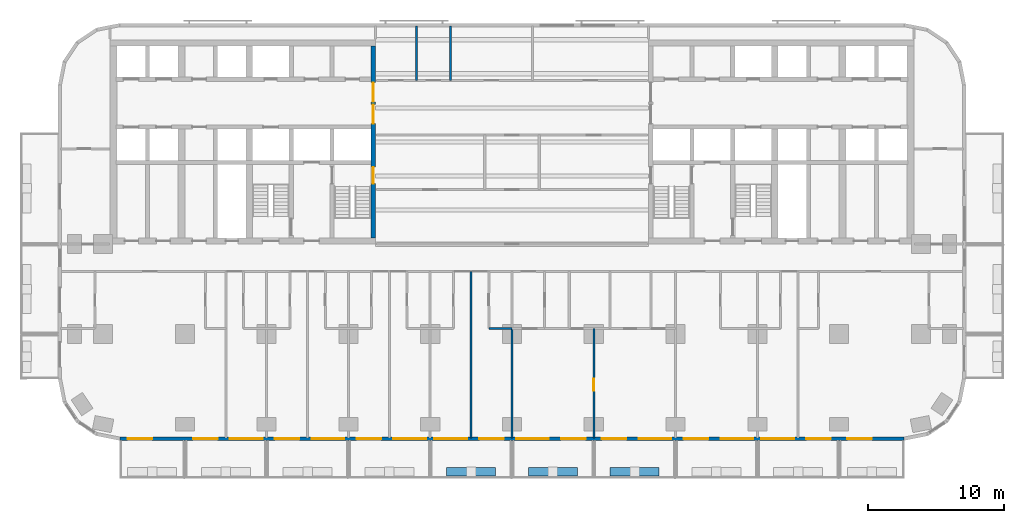
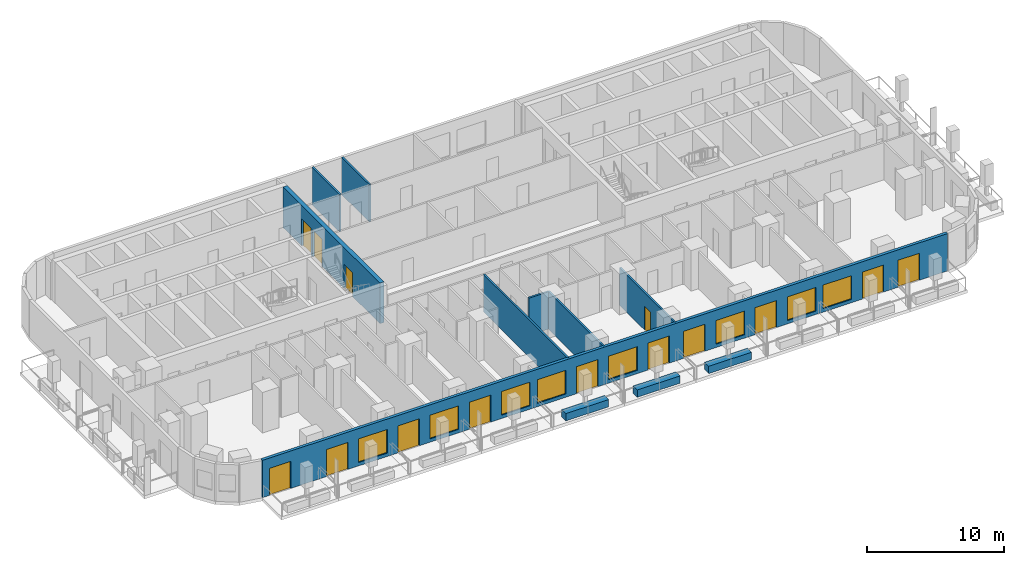
# One storey, part 4 of 13: 14 doors, 11 walls, 8 windows, 22 openings.
"""IFC4 building model written with IfcOpenShell, lengths in metres."""

from ifc_helpers import new_model, si_unit, direction, frame, frame_2d, origin, place, context, subcontext, project, spatial, rectangle, extrude, material, layer, layer_set, type_object, element, fill, save


model = new_model("IFC4")

# Units and contexts
model_context = context("Model", 3, precision=1e-05, world=origin(), true_north=direction((0.0, 1.0)))
body_context = subcontext(model_context, "Body", "Model", "MODEL_VIEW")
ifc_project = project(units=[si_unit("LENGTHUNIT", "METRE"), si_unit("AREAUNIT", "SQUARE_METRE"), si_unit("VOLUMEUNIT", "CUBIC_METRE"), si_unit("PLANEANGLEUNIT", "RADIAN"), si_unit("MASSUNIT", "GRAM", prefix="KILO")], contexts=[model_context])

# Site, building, storey
site_placement = place(None, origin())
site = spatial("IfcSite", under=ifc_project, at=site_placement, CompositionType="ELEMENT")
building_placement = place(site_placement, origin())
building = spatial("IfcBuilding", under=site, at=building_placement, Name="Torana Hotel and Residences", CompositionType="ELEMENT")
storey_placement = place(building_placement, frame((0.0, 0.0, 60.0)))
storey = spatial("IfcBuildingStorey", under=building, at=storey_placement, Name="L14", CompositionType="ELEMENT", Elevation=60.0)

# Wall, openings, doors
ifc_material_1 = material(Name="Concrete C80/95", Category="concrete")
ifc_layer_1 = layer(ifc_material_1, 0.35009765625)
ifc_layer_set_1 = layer_set([ifc_layer_1], Name="CORE WALL 350 C80/95")
wall_type_1 = type_object("IfcWallType", Name="CORE WALL 350 C80/95", PredefinedType="SHEAR", material=ifc_layer_set_1)
wall_1_placement = place(storey_placement, frame((-10.175048828125, -14.550048828125, 0.0), z_axis=(0.0, 0.0, 1.0), x_axis=(0.0, 1.0, 0.0)))
wall_1 = element("IfcWall", 1, at=wall_1_placement, inside=storey, type_object=wall_type_1, Name="Core wall W arch", PredefinedType="SHEAR", context=body_context, shape_type="SweptSolid", body=[
    extrude(rectangle(XDim=14.10009765625, YDim=0.35009765625, at=frame_2d((7.050048828125, 0.0))), origin(), (0.0, 0.0, 1.0), 3.60009765625),
])
opening_1_placement = place(wall_1_placement, frame((8.39990234375, 0.0, 0.0)))
opening_1 = element("IfcOpeningElement", 2, at=opening_1_placement, cuts=wall_1, Name="Opening L14-01", PredefinedType="OPENING", context=body_context, shape_type="SweptSolid", body=[
    extrude(rectangle(XDim=1.39990234375, YDim=2.39990234375, at=frame_2d((0.699951171875, 1.199951171875))), frame((0.0, 0.18505859375, 0.0), z_axis=(0.0, -1.0, 0.0), x_axis=(1.0, 0.0, 0.0)), (0.0, 0.0, 1.0), 0.3701171875),
])
opening_2_placement = place(wall_1_placement, frame((10.0, 0.0, 0.0)))
opening_2 = element("IfcOpeningElement", 3, at=opening_2_placement, cuts=wall_1, Name="Opening L14-02", PredefinedType="OPENING", context=body_context, shape_type="SweptSolid", body=[
    extrude(rectangle(XDim=1.39990234375, YDim=2.39990234375, at=frame_2d((0.699951171875, 1.199951171875))), frame((0.0, 0.18505859375, 0.0), z_axis=(0.0, -1.0, 0.0), x_axis=(1.0, 0.0, 0.0)), (0.0, 0.0, 1.0), 0.3701171875),
])
opening_3_placement = place(wall_1_placement, frame((4.0, 0.0, 0.0)))
opening_3 = element("IfcOpeningElement", 4, at=opening_3_placement, cuts=wall_1, Name="Opening L14-03", PredefinedType="OPENING", context=body_context, shape_type="SweptSolid", body=[
    extrude(rectangle(XDim=1.199951171875, YDim=2.10009765625, at=frame_2d((0.60009765625, 1.050048828125))), frame((0.0, 0.18505859375, 0.0), z_axis=(0.0, -1.0, 0.0), x_axis=(1.0, 0.0, 0.0)), (0.0, 0.0, 1.0), 0.3701171875),
])
ifc_material_2 = material(Name="Steel S235", Category="steel")
door_type_1 = type_object("IfcDoorType", Name="LOBBY FIRE DOOR D4 1400x2400", OperationType="DOUBLE_DOOR_SINGLE_SWING", PredefinedType="DOOR", material=ifc_material_2)
door_1_placement = place(opening_1_placement, origin())
door_1 = element("IfcDoor", 5, at=door_1_placement, inside=storey, type_object=door_type_1, Name="Lobby-1 door L14", OperationType="DOUBLE_DOOR_SINGLE_SWING", OverallHeight=2.39990234375, OverallWidth=1.39990234375, PredefinedType="DOOR", context=body_context, shape_type="SweptSolid", body=[
    extrude(rectangle(XDim=1.39990234375, YDim=2.39990234375, at=frame_2d((0.699951171875, 1.199951171875))), frame((0.0, 0.02490234375, 0.0), z_axis=(0.0, -1.0, 0.0), x_axis=(1.0, 0.0, 0.0)), (0.0, 0.0, 1.0), 0.050048828125),
])
fill(opening_1, door_1)
door_2_placement = place(opening_2_placement, origin())
door_2 = element("IfcDoor", 6, at=door_2_placement, inside=storey, type_object=door_type_1, Name="Lobby-2 door L14", OperationType="DOUBLE_DOOR_SINGLE_SWING", OverallHeight=2.39990234375, OverallWidth=1.39990234375, PredefinedType="DOOR", context=body_context, shape_type="SweptSolid", body=[
    extrude(rectangle(XDim=1.39990234375, YDim=2.39990234375, at=frame_2d((0.699951171875, 1.199951171875))), frame((0.0, 0.02490234375, 0.0), z_axis=(0.0, -1.0, 0.0), x_axis=(1.0, 0.0, 0.0)), (0.0, 0.0, 1.0), 0.050048828125),
])
fill(opening_2, door_2)
ifc_material_3 = material(Name="Steel S235", Category="steel")
door_type_2 = type_object("IfcDoorType", Name="STAIR FIRE DOOR D3 1200x2100", OperationType="SINGLE_SWING_LEFT", PredefinedType="DOOR", material=ifc_material_3)
door_3_placement = place(opening_3_placement, origin())
door_3 = element("IfcDoor", 7, at=door_3_placement, inside=storey, type_object=door_type_2, Name="Stair-A door L14", OperationType="SINGLE_SWING_LEFT", OverallHeight=2.10009765625, OverallWidth=1.199951171875, PredefinedType="DOOR", context=body_context, shape_type="SweptSolid", body=[
    extrude(rectangle(XDim=1.199951171875, YDim=2.10009765625, at=frame_2d((0.60009765625, 1.050048828125))), frame((0.0, 0.02490234375, 0.0), z_axis=(0.0, -1.0, 0.0), x_axis=(1.0, 0.0, 0.0)), (0.0, 0.0, 1.0), 0.050048828125),
])
fill(opening_3, door_3)

# Wall, openings, doors, windows
ifc_material_4 = material(Name="Black aluminium composite panel", Category="aluminium")
ifc_layer_2 = layer(ifc_material_4, 0.00390625, Name="Cladding", Category="cladding")
ifc_material_5 = material(Name="Ventilated air cavity")
ifc_layer_3 = layer(ifc_material_5, 0.0400390625, Name="Ventilated cavity", Category="cavity")
ifc_material_6 = material(Name="Mineral wool insulation")
ifc_layer_4 = layer(ifc_material_6, 0.090087890625, Name="Insulation", Category="insulation")
ifc_material_7 = material(Name="Steel S280GD", Category="steel")
ifc_layer_5 = layer(ifc_material_7, 0.092041015625, Name="Steel stud frame", Category="structure")
ifc_material_8 = material(Name="Fire rated plasterboard")
ifc_layer_6 = layer(ifc_material_8, 0.011962890625, Name="Inner board", Category="finish")
ifc_layer_7 = layer(ifc_material_8, 0.011962890625, Name="Second board", Category="finish")
ifc_layer_set_2 = layer_set([ifc_layer_2, ifc_layer_3, ifc_layer_4, ifc_layer_5, ifc_layer_6, ifc_layer_7], Name="EW1 EXTERNAL WALL BLACK METAL CLAD 250")
wall_type_2 = type_object("IfcWallType", Name="EW1 EXTERNAL WALL BLACK METAL CLAD 250", PredefinedType="SOLIDWALL", material=ifc_layer_set_2)
wall_2_placement = place(storey_placement, frame((-28.775390625, -29.27490234375, 0.0), z_axis=(0.0, 0.0, 1.0), x_axis=(1.0, 0.0, 0.0)))
wall_2 = element("IfcWall", 8, at=wall_2_placement, inside=storey, type_object=wall_type_2, Name="External wall L14 e0.14", PredefinedType="SOLIDWALL", context=body_context, shape_type="SweptSolid", body=[
    extrude(rectangle(XDim=57.55078125, YDim=0.25, at=frame_2d((28.775390625, 0.0))), origin(), (0.0, 0.0, 1.0), 3.320068359375),
])
opening_4_placement = place(wall_2_placement, frame((0.575439453125, 0.0, 0.0)))
opening_4 = element("IfcOpeningElement", 9, at=opening_4_placement, cuts=wall_2, Name="Opening L14-E01", PredefinedType="OPENING", context=body_context, shape_type="SweptSolid", body=[
    extrude(rectangle(XDim=1.800048828125, YDim=2.39990234375, at=frame_2d((0.89990234375, 1.199951171875))), frame((0.0, 0.135009765625, 0.0), z_axis=(0.0, -1.0, 0.0), x_axis=(1.0, 0.0, 0.0)), (0.0, 0.0, 1.0), 0.27001953125),
])
opening_5_placement = place(wall_2_placement, frame((5.37548828125, 0.0, 0.0)))
opening_5 = element("IfcOpeningElement", 10, at=opening_5_placement, cuts=wall_2, Name="Opening L14-E02", PredefinedType="OPENING", context=body_context, shape_type="SweptSolid", body=[
    extrude(rectangle(XDim=1.800048828125, YDim=2.39990234375, at=frame_2d((0.89990234375, 1.199951171875))), frame((0.0, 0.135009765625, 0.0), z_axis=(0.0, -1.0, 0.0), x_axis=(1.0, 0.0, 0.0)), (0.0, 0.0, 1.0), 0.27001953125),
])
opening_6_placement = place(wall_2_placement, frame((8.075439453125, 0.0, 0.300048828125)))
opening_6 = element("IfcOpeningElement", 11, at=opening_6_placement, cuts=wall_2, Name="Opening W1", PredefinedType="OPENING", context=body_context, shape_type="SweptSolid", body=[
    extrude(rectangle(XDim=2.39990234375, YDim=2.10009765625, at=frame_2d((1.199951171875, 1.050048828125))), frame((0.0, 0.135009765625, 0.0), z_axis=(0.0, -1.0, 0.0), x_axis=(1.0, 0.0, 0.0)), (0.0, 0.0, 1.0), 0.27001953125),
])
opening_7_placement = place(wall_2_placement, frame((11.37548828125, 0.0, 0.0)))
opening_7 = element("IfcOpeningElement", 12, at=opening_7_placement, cuts=wall_2, Name="Opening L14-E03", PredefinedType="OPENING", context=body_context, shape_type="SweptSolid", body=[
    extrude(rectangle(XDim=1.800048828125, YDim=2.39990234375, at=frame_2d((0.89990234375, 1.199951171875))), frame((0.0, 0.135009765625, 0.0), z_axis=(0.0, -1.0, 0.0), x_axis=(1.0, 0.0, 0.0)), (0.0, 0.0, 1.0), 0.27001953125),
])
opening_8_placement = place(wall_2_placement, frame((14.075439453125, 0.0, 0.300048828125)))
opening_8 = element("IfcOpeningElement", 13, at=opening_8_placement, cuts=wall_2, Name="Opening W1", PredefinedType="OPENING", context=body_context, shape_type="SweptSolid", body=[
    extrude(rectangle(XDim=2.39990234375, YDim=2.10009765625, at=frame_2d((1.199951171875, 1.050048828125))), frame((0.0, 0.135009765625, 0.0), z_axis=(0.0, -1.0, 0.0), x_axis=(1.0, 0.0, 0.0)), (0.0, 0.0, 1.0), 0.27001953125),
])
opening_9_placement = place(wall_2_placement, frame((17.37548828125, 0.0, 0.0)))
opening_9 = element("IfcOpeningElement", 14, at=opening_9_placement, cuts=wall_2, Name="Opening L14-E04", PredefinedType="OPENING", context=body_context, shape_type="SweptSolid", body=[
    extrude(rectangle(XDim=1.800048828125, YDim=2.39990234375, at=frame_2d((0.89990234375, 1.199951171875))), frame((0.0, 0.135009765625, 0.0), z_axis=(0.0, -1.0, 0.0), x_axis=(1.0, 0.0, 0.0)), (0.0, 0.0, 1.0), 0.27001953125),
])
opening_10_placement = place(wall_2_placement, frame((20.075439453125, 0.0, 0.300048828125)))
opening_10 = element("IfcOpeningElement", 15, at=opening_10_placement, cuts=wall_2, Name="Opening W1", PredefinedType="OPENING", context=body_context, shape_type="SweptSolid", body=[
    extrude(rectangle(XDim=2.39990234375, YDim=2.10009765625, at=frame_2d((1.199951171875, 1.050048828125))), frame((0.0, 0.135009765625, 0.0), z_axis=(0.0, -1.0, 0.0), x_axis=(1.0, 0.0, 0.0)), (0.0, 0.0, 1.0), 0.27001953125),
])
opening_11_placement = place(wall_2_placement, frame((23.075439453125, 0.0, 0.300048828125)))
opening_11 = element("IfcOpeningElement", 16, at=opening_11_placement, cuts=wall_2, Name="Opening W1", PredefinedType="OPENING", context=body_context, shape_type="SweptSolid", body=[
    extrude(rectangle(XDim=2.39990234375, YDim=2.10009765625, at=frame_2d((1.199951171875, 1.050048828125))), frame((0.0, 0.135009765625, 0.0), z_axis=(0.0, -1.0, 0.0), x_axis=(1.0, 0.0, 0.0)), (0.0, 0.0, 1.0), 0.27001953125),
])
opening_12_placement = place(wall_2_placement, frame((26.37548828125, 0.0, 0.0)))
opening_12 = element("IfcOpeningElement", 17, at=opening_12_placement, cuts=wall_2, Name="Opening L14-E05", PredefinedType="OPENING", context=body_context, shape_type="SweptSolid", body=[
    extrude(rectangle(XDim=1.800048828125, YDim=2.39990234375, at=frame_2d((0.89990234375, 1.199951171875))), frame((0.0, 0.135009765625, 0.0), z_axis=(0.0, -1.0, 0.0), x_axis=(1.0, 0.0, 0.0)), (0.0, 0.0, 1.0), 0.27001953125),
])
opening_13_placement = place(wall_2_placement, frame((29.075439453125, 0.0, 0.300048828125)))
opening_13 = element("IfcOpeningElement", 18, at=opening_13_placement, cuts=wall_2, Name="Opening W1", PredefinedType="OPENING", context=body_context, shape_type="SweptSolid", body=[
    extrude(rectangle(XDim=2.39990234375, YDim=2.10009765625, at=frame_2d((1.199951171875, 1.050048828125))), frame((0.0, 0.135009765625, 0.0), z_axis=(0.0, -1.0, 0.0), x_axis=(1.0, 0.0, 0.0)), (0.0, 0.0, 1.0), 0.27001953125),
])
opening_14_placement = place(wall_2_placement, frame((32.37548828125, 0.0, 0.0)))
opening_14 = element("IfcOpeningElement", 19, at=opening_14_placement, cuts=wall_2, Name="Opening L14-E06", PredefinedType="OPENING", context=body_context, shape_type="SweptSolid", body=[
    extrude(rectangle(XDim=1.800048828125, YDim=2.39990234375, at=frame_2d((0.89990234375, 1.199951171875))), frame((0.0, 0.135009765625, 0.0), z_axis=(0.0, -1.0, 0.0), x_axis=(1.0, 0.0, 0.0)), (0.0, 0.0, 1.0), 0.27001953125),
])
opening_15_placement = place(wall_2_placement, frame((35.37548828125, 0.0, 0.0)))
opening_15 = element("IfcOpeningElement", 20, at=opening_15_placement, cuts=wall_2, Name="Opening L14-E07", PredefinedType="OPENING", context=body_context, shape_type="SweptSolid", body=[
    extrude(rectangle(XDim=1.800048828125, YDim=2.39990234375, at=frame_2d((0.89990234375, 1.199951171875))), frame((0.0, 0.135009765625, 0.0), z_axis=(0.0, -1.0, 0.0), x_axis=(1.0, 0.0, 0.0)), (0.0, 0.0, 1.0), 0.27001953125),
])
opening_16_placement = place(wall_2_placement, frame((38.075439453125, 0.0, 0.300048828125)))
opening_16 = element("IfcOpeningElement", 21, at=opening_16_placement, cuts=wall_2, Name="Opening W1", PredefinedType="OPENING", context=body_context, shape_type="SweptSolid", body=[
    extrude(rectangle(XDim=2.39990234375, YDim=2.10009765625, at=frame_2d((1.199951171875, 1.050048828125))), frame((0.0, 0.135009765625, 0.0), z_axis=(0.0, -1.0, 0.0), x_axis=(1.0, 0.0, 0.0)), (0.0, 0.0, 1.0), 0.27001953125),
])
opening_17_placement = place(wall_2_placement, frame((41.37548828125, 0.0, 0.0)))
opening_17 = element("IfcOpeningElement", 22, at=opening_17_placement, cuts=wall_2, Name="Opening L14-E08", PredefinedType="OPENING", context=body_context, shape_type="SweptSolid", body=[
    extrude(rectangle(XDim=1.800048828125, YDim=2.39990234375, at=frame_2d((0.89990234375, 1.199951171875))), frame((0.0, 0.135009765625, 0.0), z_axis=(0.0, -1.0, 0.0), x_axis=(1.0, 0.0, 0.0)), (0.0, 0.0, 1.0), 0.27001953125),
])
opening_18_placement = place(wall_2_placement, frame((44.075439453125, 0.0, 0.300048828125)))
opening_18 = element("IfcOpeningElement", 23, at=opening_18_placement, cuts=wall_2, Name="Opening W1", PredefinedType="OPENING", context=body_context, shape_type="SweptSolid", body=[
    extrude(rectangle(XDim=2.39990234375, YDim=2.10009765625, at=frame_2d((1.199951171875, 1.050048828125))), frame((0.0, 0.135009765625, 0.0), z_axis=(0.0, -1.0, 0.0), x_axis=(1.0, 0.0, 0.0)), (0.0, 0.0, 1.0), 0.27001953125),
])
opening_19_placement = place(wall_2_placement, frame((47.075439453125, 0.0, 0.300048828125)))
opening_19 = element("IfcOpeningElement", 24, at=opening_19_placement, cuts=wall_2, Name="Opening W1", PredefinedType="OPENING", context=body_context, shape_type="SweptSolid", body=[
    extrude(rectangle(XDim=2.39990234375, YDim=2.10009765625, at=frame_2d((1.199951171875, 1.050048828125))), frame((0.0, 0.135009765625, 0.0), z_axis=(0.0, -1.0, 0.0), x_axis=(1.0, 0.0, 0.0)), (0.0, 0.0, 1.0), 0.27001953125),
])
opening_20_placement = place(wall_2_placement, frame((50.37548828125, 0.0, 0.0)))
opening_20 = element("IfcOpeningElement", 25, at=opening_20_placement, cuts=wall_2, Name="Opening L14-E09", PredefinedType="OPENING", context=body_context, shape_type="SweptSolid", body=[
    extrude(rectangle(XDim=1.800048828125, YDim=2.39990234375, at=frame_2d((0.89990234375, 1.199951171875))), frame((0.0, 0.135009765625, 0.0), z_axis=(0.0, -1.0, 0.0), x_axis=(1.0, 0.0, 0.0)), (0.0, 0.0, 1.0), 0.27001953125),
])
opening_21_placement = place(wall_2_placement, frame((53.37548828125, 0.0, 0.0)))
opening_21 = element("IfcOpeningElement", 26, at=opening_21_placement, cuts=wall_2, Name="Opening L14-E10", PredefinedType="OPENING", context=body_context, shape_type="SweptSolid", body=[
    extrude(rectangle(XDim=1.800048828125, YDim=2.39990234375, at=frame_2d((0.89990234375, 1.199951171875))), frame((0.0, 0.135009765625, 0.0), z_axis=(0.0, -1.0, 0.0), x_axis=(1.0, 0.0, 0.0)), (0.0, 0.0, 1.0), 0.27001953125),
])
ifc_material_9 = material(Name="Dark glass in black aluminium frame", Category="aluminium")
door_type_3 = type_object("IfcDoorType", Name="DB1 BALCONY DOOR 1800x2400", OperationType="DOUBLE_DOOR_SINGLE_SWING", PredefinedType="DOOR", material=ifc_material_9)
door_4_placement = place(opening_4_placement, origin())
door_4 = element("IfcDoor", 27, at=door_4_placement, inside=storey, type_object=door_type_3, Name="Balcony door L14", OperationType="DOUBLE_DOOR_SINGLE_SWING", OverallHeight=2.39990234375, OverallWidth=1.800048828125, PredefinedType="DOOR", context=body_context, shape_type="SweptSolid", body=[
    extrude(rectangle(XDim=1.800048828125, YDim=2.39990234375, at=frame_2d((0.89990234375, 1.199951171875))), frame((0.0, 0.02490234375, 0.0), z_axis=(0.0, -1.0, 0.0), x_axis=(1.0, 0.0, 0.0)), (0.0, 0.0, 1.0), 0.050048828125),
])
fill(opening_4, door_4)
door_5_placement = place(opening_5_placement, frame((0.89990234375, 0.0, 0.0), z_axis=(0.0, 0.0, 1.0), x_axis=(-1.0, 0.0, 0.0)))
door_5 = element("IfcDoor", 28, at=door_5_placement, inside=storey, type_object=door_type_3, Name="Balcony door L14", OperationType="DOUBLE_DOOR_SINGLE_SWING", OverallHeight=2.39990234375, OverallWidth=1.800048828125, PredefinedType="DOOR", context=body_context, shape_type="SweptSolid", body=[
    extrude(rectangle(XDim=1.800048828125, YDim=2.39990234375, at=frame_2d((0.0, 1.199951171875))), frame((0.0, -0.02490234375, 0.0), z_axis=(0.0, 1.0, 0.0), x_axis=(-1.0, 0.0, 0.0)), (0.0, 0.0, 1.0), 0.050048828125),
])
fill(opening_5, door_5)
door_6_placement = place(opening_7_placement, frame((0.89990234375, 0.0, 0.0), z_axis=(0.0, 0.0, 1.0), x_axis=(-1.0, 0.0, 0.0)))
door_6 = element("IfcDoor", 29, at=door_6_placement, inside=storey, type_object=door_type_3, Name="Balcony door L14", OperationType="DOUBLE_DOOR_SINGLE_SWING", OverallHeight=2.39990234375, OverallWidth=1.800048828125, PredefinedType="DOOR", context=body_context, shape_type="SweptSolid", body=[
    extrude(rectangle(XDim=1.800048828125, YDim=2.39990234375, at=frame_2d((0.0, 1.199951171875))), frame((0.0, -0.02490234375, 0.0), z_axis=(0.0, 1.0, 0.0), x_axis=(-1.0, 0.0, 0.0)), (0.0, 0.0, 1.0), 0.050048828125),
])
fill(opening_7, door_6)
door_7_placement = place(opening_9_placement, frame((0.89990234375, 0.0, 0.0), z_axis=(0.0, 0.0, 1.0), x_axis=(-1.0, 0.0, 0.0)))
door_7 = element("IfcDoor", 30, at=door_7_placement, inside=storey, type_object=door_type_3, Name="Balcony door L14", OperationType="DOUBLE_DOOR_SINGLE_SWING", OverallHeight=2.39990234375, OverallWidth=1.800048828125, PredefinedType="DOOR", context=body_context, shape_type="SweptSolid", body=[
    extrude(rectangle(XDim=1.800048828125, YDim=2.39990234375, at=frame_2d((0.0, 1.199951171875))), frame((0.0, -0.02490234375, 0.0), z_axis=(0.0, 1.0, 0.0), x_axis=(-1.0, 0.0, 0.0)), (0.0, 0.0, 1.0), 0.050048828125),
])
fill(opening_9, door_7)
door_8_placement = place(opening_12_placement, frame((0.89990234375, 0.0, 0.0), z_axis=(0.0, 0.0, 1.0), x_axis=(-1.0, 0.0, 0.0)))
door_8 = element("IfcDoor", 31, at=door_8_placement, inside=storey, type_object=door_type_3, Name="Balcony door L14", OperationType="DOUBLE_DOOR_SINGLE_SWING", OverallHeight=2.39990234375, OverallWidth=1.800048828125, PredefinedType="DOOR", context=body_context, shape_type="SweptSolid", body=[
    extrude(rectangle(XDim=1.800048828125, YDim=2.39990234375, at=frame_2d((0.0, 1.199951171875))), frame((0.0, -0.02490234375, 0.0), z_axis=(0.0, 1.0, 0.0), x_axis=(-1.0, 0.0, 0.0)), (0.0, 0.0, 1.0), 0.050048828125),
])
fill(opening_12, door_8)
door_9_placement = place(opening_14_placement, frame((0.89990234375, 0.0, 0.0), z_axis=(0.0, 0.0, 1.0), x_axis=(-1.0, 0.0, 0.0)))
door_9 = element("IfcDoor", 32, at=door_9_placement, inside=storey, type_object=door_type_3, Name="Balcony door L14", OperationType="DOUBLE_DOOR_SINGLE_SWING", OverallHeight=2.39990234375, OverallWidth=1.800048828125, PredefinedType="DOOR", context=body_context, shape_type="SweptSolid", body=[
    extrude(rectangle(XDim=1.800048828125, YDim=2.39990234375, at=frame_2d((0.0, 1.199951171875))), frame((0.0, -0.02490234375, 0.0), z_axis=(0.0, 1.0, 0.0), x_axis=(-1.0, 0.0, 0.0)), (0.0, 0.0, 1.0), 0.050048828125),
])
fill(opening_14, door_9)
door_10_placement = place(opening_15_placement, frame((0.89990234375, 0.0, 0.0), z_axis=(0.0, 0.0, 1.0), x_axis=(-1.0, 0.0, 0.0)))
door_10 = element("IfcDoor", 33, at=door_10_placement, inside=storey, type_object=door_type_3, Name="Balcony door L14", OperationType="DOUBLE_DOOR_SINGLE_SWING", OverallHeight=2.39990234375, OverallWidth=1.800048828125, PredefinedType="DOOR", context=body_context, shape_type="SweptSolid", body=[
    extrude(rectangle(XDim=1.800048828125, YDim=2.39990234375, at=frame_2d((0.0, 1.199951171875))), frame((0.0, -0.02490234375, 0.0), z_axis=(0.0, 1.0, 0.0), x_axis=(-1.0, 0.0, 0.0)), (0.0, 0.0, 1.0), 0.050048828125),
])
fill(opening_15, door_10)
door_11_placement = place(opening_17_placement, frame((0.89990234375, 0.0, 0.0), z_axis=(0.0, 0.0, 1.0), x_axis=(-1.0, 0.0, 0.0)))
door_11 = element("IfcDoor", 34, at=door_11_placement, inside=storey, type_object=door_type_3, Name="Balcony door L14", OperationType="DOUBLE_DOOR_SINGLE_SWING", OverallHeight=2.39990234375, OverallWidth=1.800048828125, PredefinedType="DOOR", context=body_context, shape_type="SweptSolid", body=[
    extrude(rectangle(XDim=1.800048828125, YDim=2.39990234375, at=frame_2d((0.0, 1.199951171875))), frame((0.0, -0.02490234375, 0.0), z_axis=(0.0, 1.0, 0.0), x_axis=(-1.0, 0.0, 0.0)), (0.0, 0.0, 1.0), 0.050048828125),
])
fill(opening_17, door_11)
door_12_placement = place(opening_20_placement, frame((0.89990234375, 0.0, 0.0), z_axis=(0.0, 0.0, 1.0), x_axis=(-1.0, 0.0, 0.0)))
door_12 = element("IfcDoor", 35, at=door_12_placement, inside=storey, type_object=door_type_3, Name="Balcony door L14", OperationType="DOUBLE_DOOR_SINGLE_SWING", OverallHeight=2.39990234375, OverallWidth=1.800048828125, PredefinedType="DOOR", context=body_context, shape_type="SweptSolid", body=[
    extrude(rectangle(XDim=1.800048828125, YDim=2.39990234375, at=frame_2d((0.0, 1.199951171875))), frame((0.0, -0.02490234375, 0.0), z_axis=(0.0, 1.0, 0.0), x_axis=(-1.0, 0.0, 0.0)), (0.0, 0.0, 1.0), 0.050048828125),
])
fill(opening_20, door_12)
door_13_placement = place(opening_21_placement, frame((0.89990234375, 0.0, 0.0), z_axis=(0.0, 0.0, 1.0), x_axis=(-1.0, 0.0, 0.0)))
door_13 = element("IfcDoor", 36, at=door_13_placement, inside=storey, type_object=door_type_3, Name="Balcony door L14", OperationType="DOUBLE_DOOR_SINGLE_SWING", OverallHeight=2.39990234375, OverallWidth=1.800048828125, PredefinedType="DOOR", context=body_context, shape_type="SweptSolid", body=[
    extrude(rectangle(XDim=1.800048828125, YDim=2.39990234375, at=frame_2d((0.0, 1.199951171875))), frame((0.0, -0.02490234375, 0.0), z_axis=(0.0, 1.0, 0.0), x_axis=(-1.0, 0.0, 0.0)), (0.0, 0.0, 1.0), 0.050048828125),
])
fill(opening_21, door_13)
ifc_material_10 = material(Name="Dark glass in black aluminium frame", Category="aluminium")
window_type = type_object("IfcWindowType", Name="W1 HOTEL ROOM WINDOW 2400x2100", PartitioningType="SINGLE_PANEL", PredefinedType="WINDOW", material=ifc_material_10)
window_1_placement = place(opening_6_placement, origin())
window_1 = element("IfcWindow", 37, at=window_1_placement, inside=storey, type_object=window_type, Name="Window L14", OverallHeight=2.10009765625, OverallWidth=2.39990234375, PartitioningType="SINGLE_PANEL", PredefinedType="WINDOW", context=body_context, shape_type="SweptSolid", body=[
    extrude(rectangle(XDim=2.39990234375, YDim=2.10009765625, at=frame_2d((1.199951171875, 1.050048828125))), frame((0.0, 0.030029296875, 0.0), z_axis=(0.0, -1.0, 0.0), x_axis=(1.0, 0.0, 0.0)), (0.0, 0.0, 1.0), 0.06005859375),
])
fill(opening_6, window_1)
window_2_placement = place(opening_8_placement, origin())
window_2 = element("IfcWindow", 38, at=window_2_placement, inside=storey, type_object=window_type, Name="Window L14", OverallHeight=2.10009765625, OverallWidth=2.39990234375, PartitioningType="SINGLE_PANEL", PredefinedType="WINDOW", context=body_context, shape_type="SweptSolid", body=[
    extrude(rectangle(XDim=2.39990234375, YDim=2.10009765625, at=frame_2d((1.199951171875, 1.050048828125))), frame((0.0, 0.030029296875, 0.0), z_axis=(0.0, -1.0, 0.0), x_axis=(1.0, 0.0, 0.0)), (0.0, 0.0, 1.0), 0.06005859375),
])
fill(opening_8, window_2)
window_3_placement = place(opening_10_placement, origin())
window_3 = element("IfcWindow", 39, at=window_3_placement, inside=storey, type_object=window_type, Name="Window L14", OverallHeight=2.10009765625, OverallWidth=2.39990234375, PartitioningType="SINGLE_PANEL", PredefinedType="WINDOW", context=body_context, shape_type="SweptSolid", body=[
    extrude(rectangle(XDim=2.39990234375, YDim=2.10009765625, at=frame_2d((1.199951171875, 1.050048828125))), frame((0.0, 0.030029296875, 0.0), z_axis=(0.0, -1.0, 0.0), x_axis=(1.0, 0.0, 0.0)), (0.0, 0.0, 1.0), 0.06005859375),
])
fill(opening_10, window_3)
window_4_placement = place(opening_11_placement, origin())
window_4 = element("IfcWindow", 40, at=window_4_placement, inside=storey, type_object=window_type, Name="Window L14", OverallHeight=2.10009765625, OverallWidth=2.39990234375, PartitioningType="SINGLE_PANEL", PredefinedType="WINDOW", context=body_context, shape_type="SweptSolid", body=[
    extrude(rectangle(XDim=2.39990234375, YDim=2.10009765625, at=frame_2d((1.199951171875, 1.050048828125))), frame((0.0, 0.030029296875, 0.0), z_axis=(0.0, -1.0, 0.0), x_axis=(1.0, 0.0, 0.0)), (0.0, 0.0, 1.0), 0.06005859375),
])
fill(opening_11, window_4)
window_5_placement = place(opening_13_placement, origin())
window_5 = element("IfcWindow", 41, at=window_5_placement, inside=storey, type_object=window_type, Name="Window L14", OverallHeight=2.10009765625, OverallWidth=2.39990234375, PartitioningType="SINGLE_PANEL", PredefinedType="WINDOW", context=body_context, shape_type="SweptSolid", body=[
    extrude(rectangle(XDim=2.39990234375, YDim=2.10009765625, at=frame_2d((1.199951171875, 1.050048828125))), frame((0.0, 0.030029296875, 0.0), z_axis=(0.0, -1.0, 0.0), x_axis=(1.0, 0.0, 0.0)), (0.0, 0.0, 1.0), 0.06005859375),
])
fill(opening_13, window_5)
window_6_placement = place(opening_16_placement, origin())
window_6 = element("IfcWindow", 42, at=window_6_placement, inside=storey, type_object=window_type, Name="Window L14", OverallHeight=2.10009765625, OverallWidth=2.39990234375, PartitioningType="SINGLE_PANEL", PredefinedType="WINDOW", context=body_context, shape_type="SweptSolid", body=[
    extrude(rectangle(XDim=2.39990234375, YDim=2.10009765625, at=frame_2d((1.199951171875, 1.050048828125))), frame((0.0, 0.030029296875, 0.0), z_axis=(0.0, -1.0, 0.0), x_axis=(1.0, 0.0, 0.0)), (0.0, 0.0, 1.0), 0.06005859375),
])
fill(opening_16, window_6)
window_7_placement = place(opening_18_placement, origin())
window_7 = element("IfcWindow", 43, at=window_7_placement, inside=storey, type_object=window_type, Name="Window L14", OverallHeight=2.10009765625, OverallWidth=2.39990234375, PartitioningType="SINGLE_PANEL", PredefinedType="WINDOW", context=body_context, shape_type="SweptSolid", body=[
    extrude(rectangle(XDim=2.39990234375, YDim=2.10009765625, at=frame_2d((1.199951171875, 1.050048828125))), frame((0.0, 0.030029296875, 0.0), z_axis=(0.0, -1.0, 0.0), x_axis=(1.0, 0.0, 0.0)), (0.0, 0.0, 1.0), 0.06005859375),
])
fill(opening_18, window_7)
window_8_placement = place(opening_19_placement, origin())
window_8 = element("IfcWindow", 44, at=window_8_placement, inside=storey, type_object=window_type, Name="Window L14", OverallHeight=2.10009765625, OverallWidth=2.39990234375, PartitioningType="SINGLE_PANEL", PredefinedType="WINDOW", context=body_context, shape_type="SweptSolid", body=[
    extrude(rectangle(XDim=2.39990234375, YDim=2.10009765625, at=frame_2d((1.199951171875, 1.050048828125))), frame((0.0, 0.030029296875, 0.0), z_axis=(0.0, -1.0, 0.0), x_axis=(1.0, 0.0, 0.0)), (0.0, 0.0, 1.0), 0.06005859375),
])
fill(opening_19, window_8)

# Wall, opening, door
ifc_material_11 = material(Name="Gypsum plasterboard")
ifc_layer_8 = layer(ifc_material_11, 0.012451171875, Name="Plasterboard", Category="finish")
ifc_layer_9 = layer(ifc_material_11, 0.012451171875, Name="Plasterboard", Category="finish")
ifc_layer_10 = layer(ifc_material_7, 0.10009765625, Name="Steel studs with mineral wool", Category="insulation")
ifc_layer_11 = layer(ifc_material_11, 0.012451171875, Name="Plasterboard", Category="finish")
ifc_layer_12 = layer(ifc_material_11, 0.012451171875, Name="Plasterboard", Category="finish")
ifc_layer_set_3 = layer_set([ifc_layer_8, ifc_layer_9, ifc_layer_10, ifc_layer_11, ifc_layer_12], Name="PARTITION 150 PLASTERBOARD")
wall_type_3 = type_object("IfcWallType", Name="PARTITION 150 PLASTERBOARD", PredefinedType="PARTITIONING", material=ifc_layer_set_3)
wall_3_placement = place(storey_placement, frame((6.0, -29.219970703125, 0.0), z_axis=(0.0, 0.0, 1.0), x_axis=(0.0, 1.0, 0.0)))
wall_3 = element("IfcWall", 45, at=wall_3_placement, inside=storey, type_object=wall_type_3, Name="Partition L14", PredefinedType="PARTITIONING", context=body_context, shape_type="SweptSolid", body=[
    extrude(rectangle(XDim=8.02001953125, YDim=0.14990234375, at=frame_2d((4.010009765625, 0.0))), origin(), (0.0, 0.0, 1.0), 3.320068359375),
])
opening_22_placement = place(wall_3_placement, frame((3.449951171875, 0.0, 0.0)))
opening_22 = element("IfcOpeningElement", 46, at=opening_22_placement, cuts=wall_3, Name="Opening L14-68", PredefinedType="OPENING", context=body_context, shape_type="SweptSolid", body=[
    extrude(rectangle(XDim=0.89990234375, YDim=2.10009765625, at=frame_2d((0.449951171875, 1.050048828125))), frame((0.0, 0.0849609375, 0.0), z_axis=(0.0, -1.0, 0.0), x_axis=(1.0, 0.0, 0.0)), (0.0, 0.0, 1.0), 0.169921875),
])
ifc_material_12 = material(Name="Timber door, oiled ash", Category="wood")
door_type_4 = type_object("IfcDoorType", Name="ROOM DOOR D7 900x2100", OperationType="SINGLE_SWING_LEFT", PredefinedType="DOOR", material=ifc_material_12)
door_14_placement = place(opening_22_placement, origin())
door_14 = element("IfcDoor", 47, at=door_14_placement, inside=storey, type_object=door_type_4, Name="Door L14", OperationType="SINGLE_SWING_RIGHT", OverallHeight=2.10009765625, OverallWidth=0.89990234375, PredefinedType="DOOR", context=body_context, shape_type="SweptSolid", body=[
    extrude(rectangle(XDim=0.89990234375, YDim=2.10009765625, at=frame_2d((0.449951171875, 1.050048828125))), frame((0.0, 0.02490234375, 0.0), z_axis=(0.0, -1.0, 0.0), x_axis=(1.0, 0.0, 0.0)), (0.0, 0.0, 1.0), 0.050048828125),
])
fill(opening_22, door_14)

# Walls
wall_4_placement = place(storey_placement, frame((0.0, -29.219970703125, 0.0), z_axis=(0.0, 0.0, 1.0), x_axis=(0.0, 1.0, 0.0)))
element("IfcWall", 48, at=wall_4_placement, inside=storey, type_object=wall_type_3, Name="Partition L14", PredefinedType="PARTITIONING", context=body_context, shape_type="SweptSolid", body=[
    extrude(rectangle(XDim=8.02001953125, YDim=0.14990234375, at=frame_2d((4.010009765625, 0.0))), origin(), (0.0, 0.0, 1.0), 3.320068359375),
])
wall_5_placement = place(storey_placement, frame((-3.0, -29.219970703125, 0.0), z_axis=(0.0, 0.0, 1.0), x_axis=(0.0, 1.0, 0.0)))
element("IfcWall", 49, at=wall_5_placement, inside=storey, type_object=wall_type_3, Name="Partition L14", PredefinedType="PARTITIONING", context=body_context, shape_type="SweptSolid", body=[
    extrude(rectangle(XDim=12.219970703125, YDim=0.14990234375, at=frame_2d((6.10986328125, 0.0))), origin(), (0.0, 0.0, 1.0), 3.320068359375),
])
wall_6_placement = place(storey_placement, frame((-1.699951171875, -21.199951171875, 0.0), z_axis=(0.0, 0.0, 1.0), x_axis=(1.0, 0.0, 0.0)))
element("IfcWall", 50, at=wall_6_placement, inside=storey, type_object=wall_type_3, Name="Partition L14", PredefinedType="PARTITIONING", context=body_context, shape_type="SweptSolid", body=[
    extrude(rectangle(XDim=1.699951171875, YDim=0.14990234375, at=frame_2d((0.85009765625, 0.0))), origin(), (0.0, 0.0, 1.0), 3.320068359375),
])
ifc_material_13 = material(Name="Concrete C40/50 precast", Category="concrete")
ifc_layer_13 = layer(ifc_material_13, 0.10009765625, Name="Planter shell", Category="structure")
ifc_material_14 = material(Name="Root resistant membrane")
ifc_layer_14 = layer(ifc_material_14, 0.00390625, Name="Waterproofing membrane", Category="membrane")
ifc_material_15 = material(Name="Drainage board with filter fleece")
ifc_layer_15 = layer(ifc_material_15, 0.02001953125, Name="Drainage board", Category="drainage")
ifc_material_16 = material(Name="Growing medium")
ifc_layer_16 = layer(ifc_material_16, 0.47607421875, Name="Planting substrate", Category="soil")
ifc_layer_set_4 = layer_set([ifc_layer_13, ifc_layer_14, ifc_layer_15, ifc_layer_16], Name="PL1 BALCONY PLANTER 600")
wall_type_4 = type_object("IfcWallType", Name="PL1 BALCONY PLANTER 600", PredefinedType="USERDEFINED", material=ifc_layer_set_4)
for number, where, z_axis, x_axis, name in (
    (51, (-1.199951171875, -31.699951171875, 0.0), (0.0, 0.0, 1.0), (-1.0, 0.0, 0.0), "Planter 05"),
    (52, (4.800048828125, -31.699951171875, 0.0), (0.0, 0.0, 1.0), (-1.0, 0.0, 0.0), "Planter 06"),
    (53, (10.800048828125, -31.699951171875, 0.0), (0.0, 0.0, 1.0), (-1.0, 0.0, 0.0), "Planter 07"),
):
    element("IfcWall", number, at=place(storey_placement, frame(where, z_axis=z_axis, x_axis=x_axis)), inside=storey, type_object=wall_type_4, Name=name, ObjectType="PLANTER", PredefinedType="USERDEFINED", context=body_context, shape_type="SweptSolid", body=[
        extrude(rectangle(XDim=3.60009765625, YDim=0.60009765625, at=frame_2d((1.800048828125, 0.0))), origin(), (0.0, 0.0, 1.0), 0.64990234375),
    ])
ifc_material_17 = material(Name="Ceramic tile on adhesive")
ifc_layer_17 = layer(ifc_material_17, 0.010009765625, Name="Wall tile", Category="finish")
ifc_material_18 = material(Name="Cement render")
ifc_layer_18 = layer(ifc_material_18, 0.010009765625, Name="Render", Category="finish")
ifc_material_19 = material(Name="Concrete blockwork", Category="masonry")
ifc_layer_19 = layer(ifc_material_19, 0.110107421875, Name="Blockwork", Category="structure")
ifc_layer_20 = layer(ifc_material_18, 0.010009765625, Name="Render", Category="finish")
ifc_layer_21 = layer(ifc_material_17, 0.010009765625, Name="Wall tile", Category="finish")
ifc_layer_set_5 = layer_set([ifc_layer_17, ifc_layer_18, ifc_layer_19, ifc_layer_20, ifc_layer_21], Name="WC PARTITION 150")
wall_type_5 = type_object("IfcWallType", Name="WC PARTITION 150", PredefinedType="PLUMBINGWALL", material=ifc_layer_set_5)
for number, where, z_axis, x_axis, name in (
    (54, (-4.5, -3.0, 0.0), (0.0, 0.0, 1.0), (0.0, 1.0, 0.0), "Partition L14"),
    (55, (-7.0, -3.0, 0.0), (0.0, 0.0, 1.0), (0.0, 1.0, 0.0), "Partition L14"),
):
    element("IfcWall", number, at=place(storey_placement, frame(where, z_axis=z_axis, x_axis=x_axis)), inside=storey, type_object=wall_type_5, Name=name, PredefinedType="PLUMBINGWALL", context=body_context, shape_type="SweptSolid", body=[
        extrude(rectangle(XDim=4.02001953125, YDim=0.14990234375, at=frame_2d((2.010009765625, 0.0))), origin(), (0.0, 0.0, 1.0), 3.320068359375),
    ])

save(model, "model.ifc")
